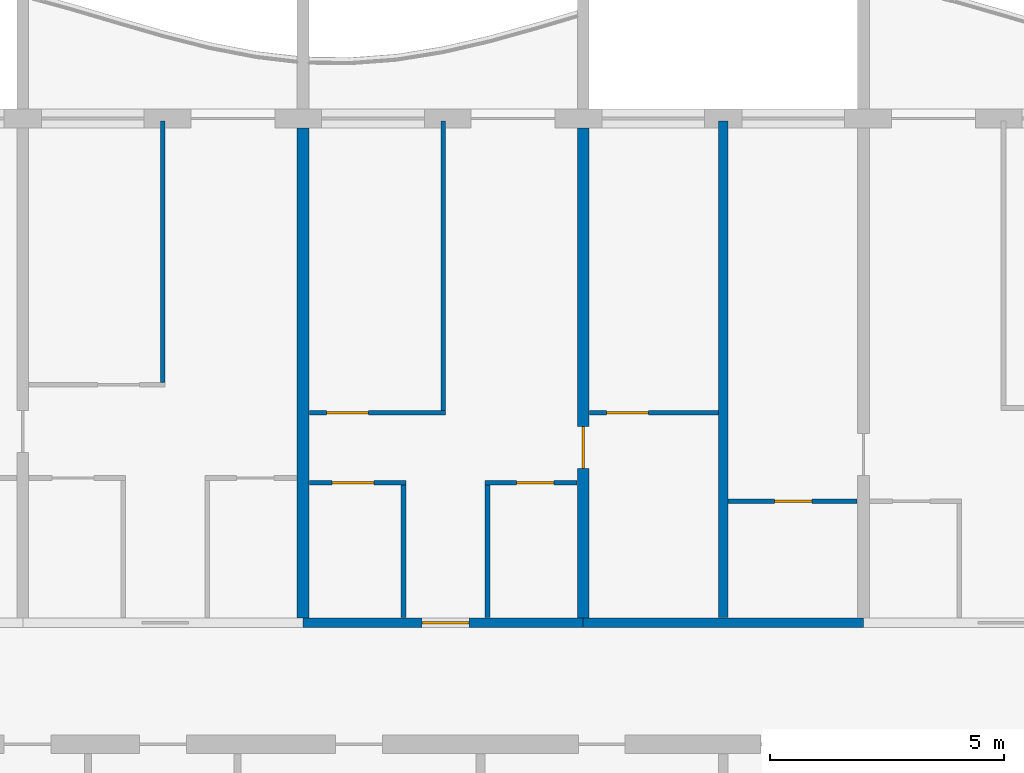
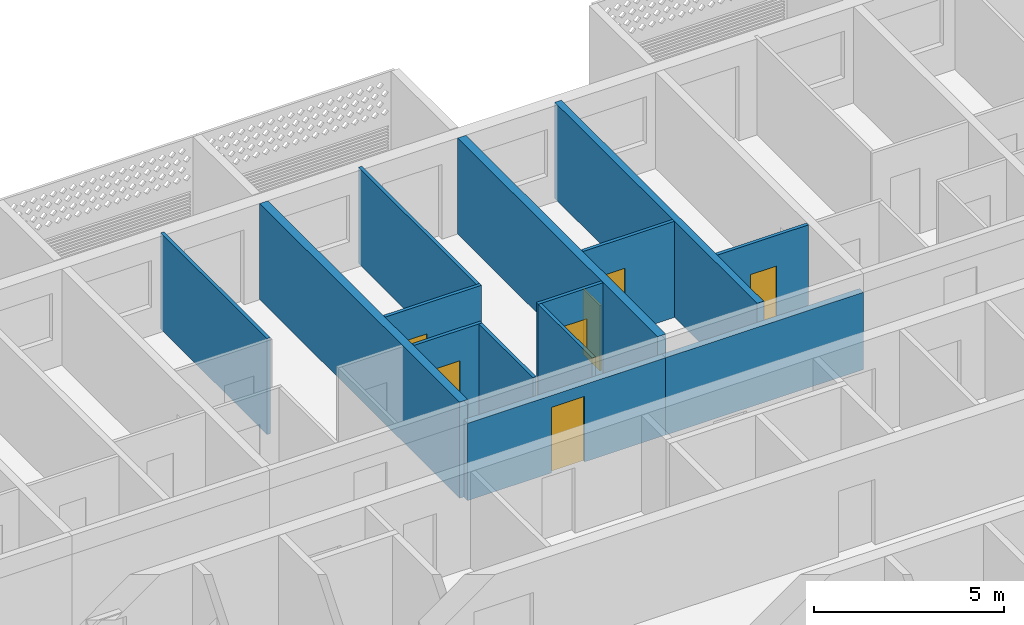
# One storey, part 9 of 26: 14 walls, 7 doors, 7 openings.
"""IFC4 building model written with IfcOpenShell, lengths in metres."""

import ifcopenshell
import ifcopenshell.guid

model = None  # the IFC model being written
_history = None  # IfcOwnerHistory: only IFC2X3 demands one
_inside = {}  # id of a spatial element -> (the spatial element, [elements in it])
_under = {}  # id of a project, library or spatial element -> (it, [spatial elements below it])
_declared = {}  # id of a project -> (the project, [libraries it declares])
_typed = {}  # id of a type object -> (the type object, [elements of that type])
_made_of = {}  # id of a material, layer set ... -> (it, [elements and type objects made of it])


def new_model(schema):
    """Start an empty IFC model of exactly this schema.

    Asked for "IFC4X3", IfcOpenShell would pick the latest addendum, in which some entities
    have other attributes; the version numbers below select the first issue.
    IFC2X3 requires an IfcOwnerHistory on every rooted entity: one is made here for all.
    """
    global model, _history
    if schema == "IFC4X3":
        model = ifcopenshell.file(schema_version=(4, 3, 0, 0))
    else:
        model = ifcopenshell.file(schema=schema)
    _inside.clear()
    _under.clear()
    _declared.clear()
    _typed.clear()
    _made_of.clear()
    _history = None
    if model.schema == "IFC2X3":
        org = make("IfcOrganization", Name="unknown")
        user = make(
            "IfcPersonAndOrganization",
            ThePerson=make("IfcPerson", FamilyName="unknown"),
            TheOrganization=org,
        )
        app = make(
            "IfcApplication",
            ApplicationDeveloper=org,
            Version="unknown",
            ApplicationFullName="unknown",
            ApplicationIdentifier="unknown",
        )
        _history = make(
            "IfcOwnerHistory",
            OwningUser=user,
            OwningApplication=app,
            ChangeAction="ADDED",
            CreationDate=0,
        )
    return model


def make(cls, **values):
    """One entity of the class cls with the attributes given. An attribute that is None is left unset."""
    return model.create_entity(
        cls, **{name: value for name, value in values.items() if value is not None}
    )


def rooted(cls, **values):
    """An entity with a GlobalId (a new one), such as an element, a storey or a relation."""
    return make(cls, GlobalId=ifcopenshell.guid.new(), OwnerHistory=_history, **values)


def si_unit(unit_type, name, prefix=None):
    """IfcSIUnit, for example si_unit("LENGTHUNIT", "METRE", prefix="MILLI")."""
    return make("IfcSIUnit", UnitType=unit_type, Prefix=prefix, Name=name)


def assignment(units):
    """IfcUnitAssignment: the units of a project."""
    return None if units is None else make("IfcUnitAssignment", Units=units)


def point(xyz):
    """IfcCartesianPoint."""
    return None if xyz is None else make("IfcCartesianPoint", Coordinates=xyz)


def direction(xyz):
    """IfcDirection."""
    return None if xyz is None else make("IfcDirection", DirectionRatios=xyz)


def frame(location, z_axis=None, x_axis=None):
    """IfcAxis2Placement3D, a coordinate frame: its origin and axes. An axis left out is left unset."""
    return make(
        "IfcAxis2Placement3D",
        Location=point(location),
        Axis=direction(z_axis),
        RefDirection=direction(x_axis),
    )


def frame_2d(location, x_axis=None):
    """IfcAxis2Placement2D, a coordinate frame in the plane: its origin and x axis."""
    return make(
        "IfcAxis2Placement2D", Location=point(location), RefDirection=direction(x_axis)
    )


def origin():
    """The frame at (0, 0, 0) with its axes left unset."""
    return frame((0.0, 0.0, 0.0))


def place(relative_to, where):
    """IfcLocalPlacement: puts the frame where relative to a parent placement (None: the world)."""
    return make(
        "IfcLocalPlacement", PlacementRelTo=relative_to, RelativePlacement=where
    )


def context(
    kind, dimensions, precision=None, world=None, true_north=None, identifier=None
):
    """IfcGeometricRepresentationContext, for example the 3D "Model" context."""
    return make(
        "IfcGeometricRepresentationContext",
        ContextIdentifier=identifier,
        ContextType=kind,
        CoordinateSpaceDimension=dimensions,
        Precision=precision,
        WorldCoordinateSystem=world,
        TrueNorth=true_north,
    )


def subcontext(parent, identifier, kind, view, scale=None):
    """IfcGeometricRepresentationSubContext, for example "Body" below "Model"."""
    return make(
        "IfcGeometricRepresentationSubContext",
        ContextIdentifier=identifier,
        ContextType=kind,
        ParentContext=parent,
        TargetScale=scale,
        TargetView=view,
    )


def project(units=None, contexts=None):
    """IfcProject with its units and contexts."""
    return rooted(
        "IfcProject",
        Name="project",
        RepresentationContexts=contexts,
        UnitsInContext=assignment(units),
    )


def spatial(cls, under=None, at=None, **own):
    """A site, building, storey or space (cls), placed at a placement, below another one or the project."""
    s = rooted(cls, ObjectPlacement=at, **own)
    if under is not None:
        _under.setdefault(under.id(), (under, []))[1].append(s)
    return s


def profile(cls, at=None, kind="AREA", **sizes):
    """A parametric profile (cls). Its sizes go by their IFC names, for example OverallWidth=200.0."""
    return make(cls, ProfileType=kind, Position=at, **sizes)


def rectangle(**sizes):
    """IfcRectangleProfileDef."""
    return profile("IfcRectangleProfileDef", **sizes)


def extrude(swept, where, along, depth):
    """IfcExtrudedAreaSolid: the profile swept, set in the frame where, extruded along a direction by depth."""
    return make(
        "IfcExtrudedAreaSolid",
        SweptArea=swept,
        Position=where,
        ExtrudedDirection=direction(along),
        Depth=depth,
    )


def shape(context_of_items, identifier, shape_type, items):
    """IfcShapeRepresentation: the items that make up one representation, for example the "Body"."""
    return make(
        "IfcShapeRepresentation",
        ContextOfItems=context_of_items,
        RepresentationIdentifier=identifier,
        RepresentationType=shape_type,
        Items=items,
    )


def material(Name=None, Category=None):
    """IfcMaterial."""
    return make("IfcMaterial", Name=Name, Category=Category)


def layer(
    of_material, thickness, ventilated=None, Name=None, Category=None, Priority=None
):
    """IfcMaterialLayer: one layer of a wall or slab, of a material (None: an air gap)."""
    return make(
        "IfcMaterialLayer",
        Material=of_material,
        LayerThickness=thickness,
        IsVentilated=ventilated,
        Name=Name,
        Category=Category,
        Priority=Priority,
    )


def layer_set(layers, Name=None):
    """IfcMaterialLayerSet."""
    return make("IfcMaterialLayerSet", MaterialLayers=layers, LayerSetName=Name)


def made_of(thing, what):
    """Note that an element or type object is made of a material, layer set ...; save() writes the relation."""
    if what is not None:
        _made_of.setdefault(what.id(), (what, []))[1].append(thing)
    return thing


def type_object(cls, material=None, **own):
    """A type object (cls), such as IfcWallType, which elements share."""
    return made_of(rooted(cls, **own), material)


def element(
    cls,
    number,
    at=None,
    inside=None,
    cuts=None,
    type_object=None,
    material=None,
    context=None,
    identifier="Body",
    shape_type=None,
    held_by="IfcProductDefinitionShape",
    body=None,
    shapes=None,
    **own,
):
    """One element of the class cls, such as IfcWall. Its Tag is "e" and its number.

    at: its placement. inside: the storey or other place that contains it. cuts: it is an
    opening in that element (IfcRelVoidsElement). A single representation is given by context,
    identifier, shape_type and body (its items); several are given by shapes. held_by: the class
    of the entity that holds the representations. save() writes the other relations.
    """
    e = rooted(cls, Tag="e%d" % number, ObjectPlacement=at, **own)
    if body is not None:
        shapes = [shape(context, identifier, shape_type, body)]
    if shapes is not None:
        e.Representation = make(held_by, Representations=shapes)
    if inside is not None:
        _inside.setdefault(inside.id(), (inside, []))[1].append(e)
    if cuts is not None:
        rooted(
            "IfcRelVoidsElement", RelatingBuildingElement=cuts, RelatedOpeningElement=e
        )
    if type_object is not None:
        _typed.setdefault(type_object.id(), (type_object, []))[1].append(e)
    return made_of(e, material)


def fill(opening, filler):
    """IfcRelFillsElement: the door or window that sits in an opening."""
    return rooted(
        "IfcRelFillsElement",
        RelatingOpeningElement=opening,
        RelatedBuildingElement=filler,
    )


def aggregate(whole, parts):
    """IfcRelAggregates: a whole, such as a stair, and the parts it consists of."""
    return rooted("IfcRelAggregates", RelatingObject=whole, RelatedObjects=parts)


def save(model, path):
    """Write the relations noted so far, then the file.

    IfcRelAggregates (storeys below a building ...), IfcRelContainedInSpatialStructure (elements
    in a storey), IfcRelDefinesByType, IfcRelAssociatesMaterial and IfcRelDeclares: one each for
    every whole, place, type object, material and project.
    """
    for whole, parts in _under.values():
        aggregate(whole, parts)
    for where, things in _inside.values():
        rooted(
            "IfcRelContainedInSpatialStructure",
            RelatedElements=things,
            RelatingStructure=where,
        )
    for kind, things in _typed.values():
        rooted("IfcRelDefinesByType", RelatedObjects=things, RelatingType=kind)
    for what, things in _made_of.values():
        rooted("IfcRelAssociatesMaterial", RelatedObjects=things, RelatingMaterial=what)
    for by, libraries in _declared.values():
        rooted("IfcRelDeclares", RelatingContext=by, RelatedDefinitions=libraries)
    model.write(path)


model = new_model("IFC4")

# Units and contexts
model_context = context("Model", 3, precision=1e-05, world=origin(), true_north=direction((0.0, 1.0)))
body_context = subcontext(model_context, "Body", "Model", "MODEL_VIEW")
ifc_project = project(units=[si_unit("LENGTHUNIT", "METRE"), si_unit("AREAUNIT", "SQUARE_METRE"), si_unit("VOLUMEUNIT", "CUBIC_METRE"), si_unit("PLANEANGLEUNIT", "RADIAN"), si_unit("MASSUNIT", "GRAM", prefix="KILO")], contexts=[model_context])

# Site, building, storey
site_placement = place(None, origin())
site = spatial("IfcSite", under=ifc_project, at=site_placement, CompositionType="ELEMENT")
building_placement = place(site_placement, origin())
building = spatial("IfcBuilding", under=site, at=building_placement, Name="Poui Terraces", CompositionType="ELEMENT")
storey_placement = place(building_placement, frame((0.0, 0.0, 178.5)))
storey = spatial("IfcBuildingStorey", under=building, at=storey_placement, Name="L49", CompositionType="ELEMENT", Elevation=178.5)

# Wall, opening, door
ifc_material_1 = material(Name="Concrete 50 MPa", Category="concrete")
ifc_layer_1 = layer(ifc_material_1, 0.199951171875)
ifc_layer_set_1 = layer_set([ifc_layer_1], Name="Concrete 50 MPa")
wall_type_1 = type_object("IfcWallType", Name="CORRIDOR WALL 200 50MPa", PredefinedType="SHEAR", material=ifc_layer_set_1)
wall_1_placement = place(storey_placement, frame((54.0, 30.39990234375, 0.0), z_axis=(0.0, 0.0, 1.0), x_axis=(1.0, 0.0, 0.0)))
wall_1 = element("IfcWall", 1, at=wall_1_placement, inside=storey, type_object=wall_type_1, Name="CORRIDOR WALL LINE E BAY 7", PredefinedType="SHEAR", context=body_context, shape_type="SweptSolid", body=[
    extrude(rectangle(XDim=6.0, YDim=0.199951171875, at=frame_2d((3.0, 0.0))), origin(), (0.0, 0.0, 1.0), 2.47998046875),
])
opening_1_placement = place(wall_1_placement, frame((2.550048828125, 0.0, 0.0)))
opening_1 = element("IfcOpeningElement", 2, at=opening_1_placement, cuts=wall_1, Name="Opening FD30S", PredefinedType="OPENING", context=body_context, shape_type="SweptSolid", body=[
    extrude(rectangle(XDim=1.0, YDim=2.10009765625, at=frame_2d((0.5, 1.050048828125))), frame((0.0, 0.10986328125, 0.0), z_axis=(0.0, -1.0, 0.0), x_axis=(1.0, 0.0, 0.0)), (0.0, 0.0, 1.0), 0.219970703125),
])
ifc_material_2 = material(Name="Steel fire door", Category="steel")
door_type_1 = type_object("IfcDoorType", Name="FLAT ENTRANCE DOOR 1000 X 2100", OperationType="NOTDEFINED", PredefinedType="DOOR", material=ifc_material_2)
door_1_placement = place(opening_1_placement, origin())
door_1 = element("IfcDoor", 3, at=door_1_placement, inside=storey, type_object=door_type_1, Name="FLAT ENTRANCE DOOR 048", OperationType="SINGLE_SWING_RIGHT", OverallHeight=2.10009765625, OverallWidth=1.0, PredefinedType="DOOR", context=body_context, shape_type="SweptSolid", body=[
    extrude(rectangle(XDim=1.0, YDim=2.10009765625, at=frame_2d((0.5, 1.050048828125))), frame((0.0, 0.02490234375, 0.0), z_axis=(0.0, -1.0, 0.0), x_axis=(1.0, 0.0, 0.0)), (0.0, 0.0, 1.0), 0.050048828125),
])
fill(opening_1, door_1)

# Walls
wall_2_placement = place(storey_placement, frame((60.0, 30.39990234375, 0.0), z_axis=(0.0, 0.0, 1.0), x_axis=(1.0, 0.0, 0.0)))
element("IfcWall", 4, at=wall_2_placement, inside=storey, type_object=wall_type_1, Name="CORRIDOR WALL LINE E BAY 8", PredefinedType="SHEAR", context=body_context, shape_type="SweptSolid", body=[
    extrude(rectangle(XDim=6.0, YDim=0.199951171875, at=frame_2d((3.0, 0.0))), origin(), (0.0, 0.0, 1.0), 2.47998046875),
])
ifc_layer_2 = layer(ifc_material_1, 0.25)
ifc_layer_set_2 = layer_set([ifc_layer_2], Name="Concrete 50 MPa")
wall_type_2 = type_object("IfcWallType", Name="CROSS WALL 250 50MPa", PredefinedType="SHEAR", material=ifc_layer_set_2)
wall_3_placement = place(storey_placement, frame((54.0, 30.5, 0.0), z_axis=(0.0, 0.0, 1.0), x_axis=(0.0, 1.0, 0.0)))
element("IfcWall", 5, at=wall_3_placement, inside=storey, type_object=wall_type_2, Name="CROSS WALL LINE 10 NORTH", PredefinedType="SHEAR", context=body_context, shape_type="SweptSolid", body=[
    extrude(rectangle(XDim=10.5, YDim=0.25, at=frame_2d((5.25, 0.0))), origin(), (0.0, 0.0, 1.0), 3.080078125),
])

# Wall, opening, door
wall_4_placement = place(storey_placement, frame((60.0, 30.5, 0.0), z_axis=(0.0, 0.0, 1.0), x_axis=(0.0, 1.0, 0.0)))
wall_4 = element("IfcWall", 6, at=wall_4_placement, inside=storey, type_object=wall_type_2, Name="CROSS WALL LINE 11 NORTH", PredefinedType="SHEAR", context=body_context, shape_type="SweptSolid", body=[
    extrude(rectangle(XDim=10.5, YDim=0.25, at=frame_2d((5.25, 0.0))), origin(), (0.0, 0.0, 1.0), 3.080078125),
])
opening_2_placement = place(wall_4_placement, frame((3.199951171875, 0.0, 0.0)))
opening_2 = element("IfcOpeningElement", 7, at=opening_2_placement, cuts=wall_4, Name="Opening D90", PredefinedType="OPENING", context=body_context, shape_type="SweptSolid", body=[
    extrude(rectangle(XDim=0.89990234375, YDim=2.10009765625, at=frame_2d((0.449951171875, 1.050048828125))), frame((0.0, 0.135009765625, 0.0), z_axis=(0.0, -1.0, 0.0), x_axis=(1.0, 0.0, 0.0)), (0.0, 0.0, 1.0), 0.27001953125),
])
ifc_material_3 = material(Name="Solid core timber door", Category="wood")
door_type_2 = type_object("IfcDoorType", Name="INTERNAL DOOR 900 X 2100", OperationType="NOTDEFINED", PredefinedType="DOOR", material=ifc_material_3)
door_2_placement = place(opening_2_placement, origin())
door_2 = element("IfcDoor", 8, at=door_2_placement, inside=storey, type_object=door_type_2, Name="INTERNAL DOOR 050", OperationType="SINGLE_SWING_LEFT", OverallHeight=2.10009765625, OverallWidth=0.89990234375, PredefinedType="DOOR", context=body_context, shape_type="SweptSolid", body=[
    extrude(rectangle(XDim=0.89990234375, YDim=2.10009765625, at=frame_2d((0.449951171875, 1.050048828125))), frame((0.0, 0.02490234375, 0.0), z_axis=(0.0, -1.0, 0.0), x_axis=(1.0, 0.0, 0.0)), (0.0, 0.0, 1.0), 0.050048828125),
])
fill(opening_2, door_2)

ifc_material_4 = material(Name="Plasterboard partition")
ifc_layer_3 = layer(ifc_material_4, 0.10009765625)
ifc_layer_set_3 = layer_set([ifc_layer_3], Name="Plasterboard partition")
wall_type_3 = type_object("IfcWallType", Name="FLAT PARTITION 100", PredefinedType="PARTITIONING", material=ifc_layer_set_3)
wall_5_placement = place(storey_placement, frame((63.10009765625, 33.0, 0.0), z_axis=(0.0, 0.0, 1.0), x_axis=(1.0, 0.0, 0.0)))
wall_5 = element("IfcWall", 9, at=wall_5_placement, inside=storey, type_object=wall_type_3, Name="FLAT PARTITION 100", PredefinedType="PARTITIONING", context=body_context, shape_type="SweptSolid", body=[
    extrude(rectangle(XDim=2.764892578125, YDim=0.10009765625, at=frame_2d((1.38232421875, 0.0))), origin(), (0.0, 0.0, 1.0), 3.080078125),
])
opening_3_placement = place(wall_5_placement, frame((1.0, 0.0, 0.0)))
opening_3 = element("IfcOpeningElement", 10, at=opening_3_placement, cuts=wall_5, Name="Opening D80", PredefinedType="OPENING", context=body_context, shape_type="SweptSolid", body=[
    extrude(rectangle(XDim=0.800048828125, YDim=2.10009765625, at=frame_2d((0.39990234375, 1.050048828125))), frame((0.0, 0.06005859375, 0.0), z_axis=(0.0, -1.0, 0.0), x_axis=(1.0, 0.0, 0.0)), (0.0, 0.0, 1.0), 0.1201171875),
])
door_type_3 = type_object("IfcDoorType", Name="BATHROOM, LAUNDRY AND STORE DOOR 800 X 2100", OperationType="NOTDEFINED", PredefinedType="DOOR", material=ifc_material_3)
door_3_placement = place(opening_3_placement, frame((0.800048828125, 0.0, 0.0), z_axis=(0.0, 0.0, 1.0), x_axis=(-1.0, 0.0, 0.0)))
door_3 = element("IfcDoor", 11, at=door_3_placement, inside=storey, type_object=door_type_3, Name="BATHROOM, LAUNDRY AND STORE DOOR 051", OperationType="SINGLE_SWING_LEFT", OverallHeight=2.10009765625, OverallWidth=0.800048828125, PredefinedType="DOOR", context=body_context, shape_type="SweptSolid", body=[
    extrude(rectangle(XDim=0.800048828125, YDim=2.10009765625, at=frame_2d((0.39990234375, 1.050048828125))), frame((0.0, 0.02490234375, 0.0), z_axis=(0.0, -1.0, 0.0), x_axis=(1.0, 0.0, 0.0)), (0.0, 0.0, 1.0), 0.050048828125),
])
fill(opening_3, door_3)

wall_6_placement = place(storey_placement, frame((54.135009765625, 33.39990234375, 0.0), z_axis=(0.0, 0.0, 1.0), x_axis=(1.0, 0.0, 0.0)))
wall_6 = element("IfcWall", 12, at=wall_6_placement, inside=storey, type_object=wall_type_3, Name="FLAT PARTITION 100", PredefinedType="PARTITIONING", context=body_context, shape_type="SweptSolid", body=[
    extrude(rectangle(XDim=2.06494140625, YDim=0.10009765625, at=frame_2d((1.032470703125, 0.0))), origin(), (0.0, 0.0, 1.0), 3.080078125),
])
opening_4_placement = place(wall_6_placement, frame((0.489990234375, 0.0, 0.0)))
opening_4 = element("IfcOpeningElement", 13, at=opening_4_placement, cuts=wall_6, Name="Opening D90", PredefinedType="OPENING", context=body_context, shape_type="SweptSolid", body=[
    extrude(rectangle(XDim=0.89990234375, YDim=2.10009765625, at=frame_2d((0.449951171875, 1.050048828125))), frame((0.0, 0.06005859375, 0.0), z_axis=(0.0, -1.0, 0.0), x_axis=(1.0, 0.0, 0.0)), (0.0, 0.0, 1.0), 0.1201171875),
])
door_4_placement = place(opening_4_placement, frame((0.89990234375, 0.0, 0.0), z_axis=(0.0, 0.0, 1.0), x_axis=(-1.0, 0.0, 0.0)))
door_4 = element("IfcDoor", 14, at=door_4_placement, inside=storey, type_object=door_type_2, Name="INTERNAL DOOR 047", OperationType="SINGLE_SWING_RIGHT", OverallHeight=2.10009765625, OverallWidth=0.89990234375, PredefinedType="DOOR", context=body_context, shape_type="SweptSolid", body=[
    extrude(rectangle(XDim=0.89990234375, YDim=2.10009765625, at=frame_2d((0.449951171875, 1.050048828125))), frame((0.0, 0.02490234375, 0.0), z_axis=(0.0, -1.0, 0.0), x_axis=(1.0, 0.0, 0.0)), (0.0, 0.0, 1.0), 0.050048828125),
])
fill(opening_4, door_4)

wall_7_placement = place(storey_placement, frame((57.89990234375, 33.39990234375, 0.0), z_axis=(0.0, 0.0, 1.0), x_axis=(1.0, 0.0, 0.0)))
wall_7 = element("IfcWall", 15, at=wall_7_placement, inside=storey, type_object=wall_type_3, Name="FLAT PARTITION 100", PredefinedType="PARTITIONING", context=body_context, shape_type="SweptSolid", body=[
    extrude(rectangle(XDim=1.965087890625, YDim=0.10009765625, at=frame_2d((0.982421875, 0.0))), origin(), (0.0, 0.0, 1.0), 3.080078125),
])
opening_5_placement = place(wall_7_placement, frame((0.675048828125, 0.0, 0.0)))
opening_5 = element("IfcOpeningElement", 16, at=opening_5_placement, cuts=wall_7, Name="Opening D80", PredefinedType="OPENING", context=body_context, shape_type="SweptSolid", body=[
    extrude(rectangle(XDim=0.800048828125, YDim=2.10009765625, at=frame_2d((0.39990234375, 1.050048828125))), frame((0.0, 0.06005859375, 0.0), z_axis=(0.0, -1.0, 0.0), x_axis=(1.0, 0.0, 0.0)), (0.0, 0.0, 1.0), 0.1201171875),
])
door_5_placement = place(opening_5_placement, frame((0.800048828125, 0.0, 0.0), z_axis=(0.0, 0.0, 1.0), x_axis=(-1.0, 0.0, 0.0)))
door_5 = element("IfcDoor", 17, at=door_5_placement, inside=storey, type_object=door_type_3, Name="BATHROOM, LAUNDRY AND STORE DOOR 049", OperationType="SINGLE_SWING_LEFT", OverallHeight=2.10009765625, OverallWidth=0.800048828125, PredefinedType="DOOR", context=body_context, shape_type="SweptSolid", body=[
    extrude(rectangle(XDim=0.800048828125, YDim=2.10009765625, at=frame_2d((0.39990234375, 1.050048828125))), frame((0.0, 0.02490234375, 0.0), z_axis=(0.0, -1.0, 0.0), x_axis=(1.0, 0.0, 0.0)), (0.0, 0.0, 1.0), 0.050048828125),
])
fill(opening_5, door_5)

wall_8_placement = place(storey_placement, frame((54.135009765625, 34.89990234375, 0.0), z_axis=(0.0, 0.0, 1.0), x_axis=(1.0, 0.0, 0.0)))
wall_8 = element("IfcWall", 18, at=wall_8_placement, inside=storey, type_object=wall_type_3, Name="FLAT PARTITION 100", PredefinedType="PARTITIONING", context=body_context, shape_type="SweptSolid", body=[
    extrude(rectangle(XDim=2.9150390625, YDim=0.10009765625, at=frame_2d((1.45751953125, 0.0))), origin(), (0.0, 0.0, 1.0), 3.080078125),
])
opening_6_placement = place(wall_8_placement, frame((0.364990234375, 0.0, 0.0)))
opening_6 = element("IfcOpeningElement", 19, at=opening_6_placement, cuts=wall_8, Name="Opening D90", PredefinedType="OPENING", context=body_context, shape_type="SweptSolid", body=[
    extrude(rectangle(XDim=0.89990234375, YDim=2.10009765625, at=frame_2d((0.449951171875, 1.050048828125))), frame((0.0, 0.06005859375, 0.0), z_axis=(0.0, -1.0, 0.0), x_axis=(1.0, 0.0, 0.0)), (0.0, 0.0, 1.0), 0.1201171875),
])
door_6_placement = place(opening_6_placement, frame((0.89990234375, 0.0, 0.0), z_axis=(0.0, 0.0, 1.0), x_axis=(-1.0, 0.0, 0.0)))
door_6 = element("IfcDoor", 20, at=door_6_placement, inside=storey, type_object=door_type_2, Name="INTERNAL DOOR 046", OperationType="SINGLE_SWING_LEFT", OverallHeight=2.10009765625, OverallWidth=0.89990234375, PredefinedType="DOOR", context=body_context, shape_type="SweptSolid", body=[
    extrude(rectangle(XDim=0.89990234375, YDim=2.10009765625, at=frame_2d((0.449951171875, 1.050048828125))), frame((0.0, 0.02490234375, 0.0), z_axis=(0.0, -1.0, 0.0), x_axis=(1.0, 0.0, 0.0)), (0.0, 0.0, 1.0), 0.050048828125),
])
fill(opening_6, door_6)

wall_9_placement = place(storey_placement, frame((60.135009765625, 34.89990234375, 0.0), z_axis=(0.0, 0.0, 1.0), x_axis=(1.0, 0.0, 0.0)))
wall_9 = element("IfcWall", 21, at=wall_9_placement, inside=storey, type_object=wall_type_3, Name="FLAT PARTITION 100", PredefinedType="PARTITIONING", context=body_context, shape_type="SweptSolid", body=[
    extrude(rectangle(XDim=2.764892578125, YDim=0.10009765625, at=frame_2d((1.38232421875, 0.0))), origin(), (0.0, 0.0, 1.0), 3.080078125),
])
opening_7_placement = place(wall_9_placement, frame((0.364990234375, 0.0, 0.0)))
opening_7 = element("IfcOpeningElement", 22, at=opening_7_placement, cuts=wall_9, Name="Opening D90", PredefinedType="OPENING", context=body_context, shape_type="SweptSolid", body=[
    extrude(rectangle(XDim=0.89990234375, YDim=2.10009765625, at=frame_2d((0.449951171875, 1.050048828125))), frame((0.0, 0.06005859375, 0.0), z_axis=(0.0, -1.0, 0.0), x_axis=(1.0, 0.0, 0.0)), (0.0, 0.0, 1.0), 0.1201171875),
])
door_7_placement = place(opening_7_placement, origin())
door_7 = element("IfcDoor", 23, at=door_7_placement, inside=storey, type_object=door_type_2, Name="INTERNAL DOOR 045", OperationType="SINGLE_SWING_LEFT", OverallHeight=2.10009765625, OverallWidth=0.89990234375, PredefinedType="DOOR", context=body_context, shape_type="SweptSolid", body=[
    extrude(rectangle(XDim=0.89990234375, YDim=2.10009765625, at=frame_2d((0.449951171875, 1.050048828125))), frame((0.0, 0.02490234375, 0.0), z_axis=(0.0, -1.0, 0.0), x_axis=(1.0, 0.0, 0.0)), (0.0, 0.0, 1.0), 0.050048828125),
])
fill(opening_7, door_7)

# Walls
wall_10_placement = place(storey_placement, frame((51.0, 35.550048828125, 0.0), z_axis=(0.0, 0.0, 1.0), x_axis=(0.0, 1.0, 0.0)))
element("IfcWall", 24, at=wall_10_placement, inside=storey, type_object=wall_type_3, Name="FLAT PARTITION 100", PredefinedType="PARTITIONING", context=body_context, shape_type="SweptSolid", body=[
    extrude(rectangle(XDim=5.58984375, YDim=0.10009765625, at=frame_2d((2.794921875, 0.0))), origin(), (0.0, 0.0, 1.0), 3.080078125),
])
wall_11_placement = place(storey_placement, frame((56.14990234375, 30.510009765625, 0.0), z_axis=(0.0, 0.0, 1.0), x_axis=(0.0, 1.0, 0.0)))
element("IfcWall", 25, at=wall_11_placement, inside=storey, type_object=wall_type_3, Name="FLAT PARTITION 100", PredefinedType="PARTITIONING", context=body_context, shape_type="SweptSolid", body=[
    extrude(rectangle(XDim=2.840087890625, YDim=0.10009765625, at=frame_2d((1.419921875, 0.0))), origin(), (0.0, 0.0, 1.0), 3.080078125),
])
wall_12_placement = place(storey_placement, frame((57.0, 34.949951171875, 0.0), z_axis=(0.0, 0.0, 1.0), x_axis=(0.0, 1.0, 0.0)))
element("IfcWall", 26, at=wall_12_placement, inside=storey, type_object=wall_type_3, Name="FLAT PARTITION 100", PredefinedType="PARTITIONING", context=body_context, shape_type="SweptSolid", body=[
    extrude(rectangle(XDim=6.18994140625, YDim=0.10009765625, at=frame_2d((3.094970703125, 0.0))), origin(), (0.0, 0.0, 1.0), 3.080078125),
])
wall_13_placement = place(storey_placement, frame((57.949951171875, 30.510009765625, 0.0), z_axis=(0.0, 0.0, 1.0), x_axis=(0.0, 1.0, 0.0)))
element("IfcWall", 27, at=wall_13_placement, inside=storey, type_object=wall_type_3, Name="FLAT PARTITION 100", PredefinedType="PARTITIONING", context=body_context, shape_type="SweptSolid", body=[
    extrude(rectangle(XDim=2.840087890625, YDim=0.10009765625, at=frame_2d((1.419921875, 0.0))), origin(), (0.0, 0.0, 1.0), 3.080078125),
])
ifc_material_5 = material(Name="Fire-rated masonry wall", Category="masonry")
ifc_layer_4 = layer(ifc_material_5, 0.199951171875)
ifc_layer_set_4 = layer_set([ifc_layer_4], Name="Fire-rated masonry wall")
wall_type_4 = type_object("IfcWallType", Name="FLAT PARTY WALL 200", PredefinedType="PARTITIONING", material=ifc_layer_set_4)
wall_14_placement = place(storey_placement, frame((63.0, 30.510009765625, 0.0), z_axis=(0.0, 0.0, 1.0), x_axis=(0.0, 1.0, 0.0)))
element("IfcWall", 28, at=wall_14_placement, inside=storey, type_object=wall_type_4, Name="FLAT PARTY WALL 200", PredefinedType="PARTITIONING", context=body_context, shape_type="SweptSolid", body=[
    extrude(rectangle(XDim=10.6298828125, YDim=0.199951171875, at=frame_2d((5.31494140625, 0.0))), origin(), (0.0, 0.0, 1.0), 3.080078125),
])

save(model, "model.ifc")
